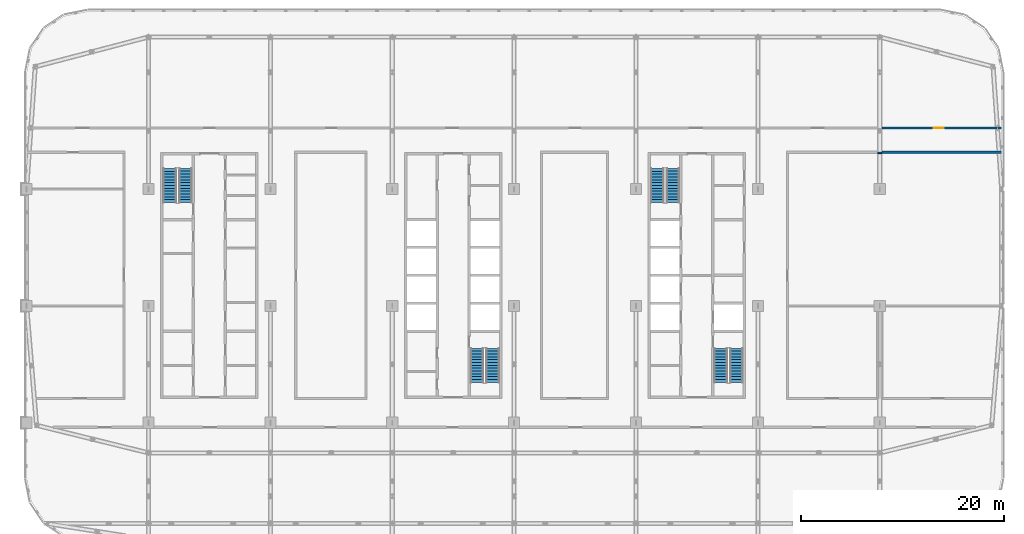
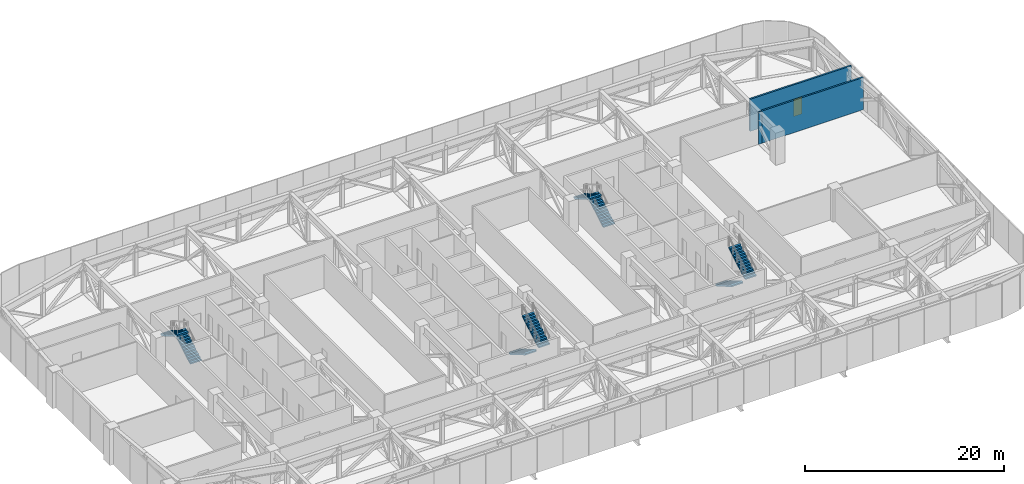
# One storey, part 16 of 28: 8 stair flights, 3 walls, 1 door, 1 opening, 4 elements without a shape of their own.
"""IFC4 building model written with IfcOpenShell, lengths in metres."""

from ifc_helpers import new_model, si_unit, direction, frame, frame_2d, origin, place, context, subcontext, project, spatial, polyline, rectangle, outline, extrude, material, layer, layer_set, type_object, element, fill, aggregate, save


model = new_model("IFC4")

# Units and contexts
model_context = context("Model", 3, precision=1e-05, world=origin(), true_north=direction((0.0, 1.0)))
body_context = subcontext(model_context, "Body", "Model", "MODEL_VIEW")
ifc_project = project(units=[si_unit("LENGTHUNIT", "METRE"), si_unit("AREAUNIT", "SQUARE_METRE"), si_unit("VOLUMEUNIT", "CUBIC_METRE"), si_unit("PLANEANGLEUNIT", "RADIAN"), si_unit("MASSUNIT", "GRAM", prefix="KILO")], contexts=[model_context])

# Site, building, storey
site_placement = place(None, origin())
site = spatial("IfcSite", under=ifc_project, at=site_placement, CompositionType="ELEMENT")
building_placement = place(site_placement, origin())
building = spatial("IfcBuilding", under=site, at=building_placement, Name="Mahtab Terrace Research Tower", CompositionType="ELEMENT")
storey_placement = place(building_placement, frame((0.0, 0.0, 224.300048828125)))
storey = spatial("IfcBuildingStorey", under=building, at=storey_placement, Name="L54", CompositionType="ELEMENT", Elevation=224.300048828125)

# Wall
ifc_material_1 = material(Name="Gypsum board corridor wall on steel studs", Category="steel")
ifc_layer_1 = layer(ifc_material_1, 0.199951171875)
ifc_layer_set_1 = layer_set([ifc_layer_1], Name="WALL CORRIDOR 200")
wall_type_1 = type_object("IfcWallType", Name="WALL CORRIDOR 200", PredefinedType="PARTITIONING", material=ifc_layer_set_1)
wall_1_placement = place(storey_placement, frame((42.199951171875, 15.125, 0.0), z_axis=(0.0, 0.0, 1.0), x_axis=(1.0, 0.0, 0.0)))
element("IfcWall", 1, at=wall_1_placement, inside=storey, type_object=wall_type_1, Name="L54-W023", PredefinedType="PARTITIONING", context=body_context, shape_type="SweptSolid", body=[
    extrude(rectangle(XDim=11.800048828125, YDim=0.199951171875, at=frame_2d((5.89990234375, 0.0))), origin(), (0.0, 0.0, 1.0), 3.9599609375),
])

# Wall, opening, door
wall_2_placement = place(storey_placement, frame((42.199951171875, 17.5, 0.0), z_axis=(0.0, 0.0, 1.0), x_axis=(1.0, 0.0, 0.0)))
wall_2 = element("IfcWall", 2, at=wall_2_placement, inside=storey, type_object=wall_type_1, Name="L54-W031", PredefinedType="PARTITIONING", context=body_context, shape_type="SweptSolid", body=[
    extrude(rectangle(XDim=11.800048828125, YDim=0.199951171875, at=frame_2d((5.89990234375, 0.0))), origin(), (0.0, 0.0, 1.0), 3.9599609375),
])
opening_placement = place(wall_2_placement, frame((5.10009765625, 0.0, 0.0)))
opening = element("IfcOpeningElement", 3, at=opening_placement, cuts=wall_2, Name="Opening L54-124", PredefinedType="OPENING", context=body_context, shape_type="SweptSolid", body=[
    extrude(rectangle(XDim=1.0, YDim=2.10009765625, at=frame_2d((0.5, 1.050048828125))), frame((0.0, 0.10986328125, 0.0), z_axis=(0.0, -1.0, 0.0), x_axis=(1.0, 0.0, 0.0)), (0.0, 0.0, 1.0), 0.219970703125),
])
ifc_material_2 = material(Name="Timber door leaf in steel frame", Category="steel")
door_type = type_object("IfcDoorType", Name="DOOR 1000X2100 FD30S", OperationType="SINGLE_SWING_LEFT", PredefinedType="DOOR", material=ifc_material_2)
door_placement = place(opening_placement, origin())
door = element("IfcDoor", 4, at=door_placement, inside=storey, type_object=door_type, Name="Door L54-124", OperationType="SINGLE_SWING_RIGHT", OverallHeight=2.10009765625, OverallWidth=1.0, PredefinedType="DOOR", context=body_context, shape_type="SweptSolid", body=[
    extrude(rectangle(XDim=1.0, YDim=2.10009765625, at=frame_2d((0.5, 1.050048828125))), frame((0.0, 0.02490234375, 0.0), z_axis=(0.0, -1.0, 0.0), x_axis=(1.0, 0.0, 0.0)), (0.0, 0.0, 1.0), 0.050048828125),
])
fill(opening, door)

# Wall
ifc_material_3 = material(Name="Gypsum board partition on steel studs", Category="steel")
ifc_layer_2 = layer(ifc_material_3, 0.14990234375)
ifc_layer_set_2 = layer_set([ifc_layer_2], Name="WALL PARTITION 150")
wall_type_2 = type_object("IfcWallType", Name="WALL PARTITION 150", PredefinedType="PARTITIONING", material=ifc_layer_set_2)
wall_3_placement = place(storey_placement, frame((41.800048828125, 15.074951171875, 0.0), z_axis=(0.0, 0.0, 1.0), x_axis=(1.0, 0.0, 0.0)))
element("IfcWall", 5, at=wall_3_placement, inside=storey, type_object=wall_type_2, Name="L54-W018", PredefinedType="PARTITIONING", context=body_context, shape_type="SweptSolid", body=[
    extrude(rectangle(XDim=0.39990234375, YDim=0.14990234375, at=frame_2d((0.199951171875, 0.0))), origin(), (0.0, 0.0, 1.0), 3.9599609375),
])

# Stair, stair flights
ifc_material_4 = material(Name="Exit stair half-turn")
stair_type = type_object("IfcStairType", Name="Exit stair half-turn", PredefinedType="HALF_TURN_STAIR", material=ifc_material_4)
stair_1_placement = place(storey_placement, origin())
stair_1 = element("IfcStair", 6, at=stair_1_placement, inside=storey, type_object=stair_type, Name="L54 Protected exit stair ST1", PredefinedType="HALF_TURN_STAIR")
ifc_material_5 = material(Name="Concrete C40/50", Category="concrete")
stair_flight_type = type_object("IfcStairFlightType", Name="Exit stair flight 1300", PredefinedType="STRAIGHT", material=ifc_material_5)
stair_flight_1_placement = place(storey_placement, frame((-26.35009765625, 10.175048828125, 0.0), z_axis=(0.0, 0.0, 1.0), x_axis=(0.0, 1.0, 0.0)))
stair_flight_1 = element("IfcStairFlight", 7, at=stair_flight_1_placement, type_object=stair_flight_type, Name="ST1 flight 1", NumberOfRisers=13, NumberOfTreads=12, PredefinedType="STRAIGHT", RiserHeight=0.165384615, TreadLength=0.28, context=body_context, shape_type="SweptSolid", body=[
    extrude(outline(polyline([(0.0, 0.0), (0.0, 0.165283203125), (0.280029296875, 0.165283203125), (0.280029296875, 0.330810546875), (0.56005859375, 0.330810546875), (0.56005859375, 0.49609375), (0.840087890625, 0.49609375), (0.840087890625, 0.66162109375), (1.1201171875, 0.66162109375), (1.1201171875, 0.826904296875), (1.39990234375, 0.826904296875), (1.39990234375, 0.9921875), (1.679931640625, 0.9921875), (1.679931640625, 1.15771484375), (1.9599609375, 1.15771484375), (1.9599609375, 1.322998046875), (2.239990234375, 1.322998046875), (2.239990234375, 1.488525390625), (2.52001953125, 1.488525390625), (2.52001953125, 1.65380859375), (2.800048828125, 1.65380859375), (2.800048828125, 1.8193359375), (3.080078125, 1.8193359375), (3.080078125, 1.984619140625), (3.360107421875, 1.984619140625), (3.360107421875, 2.14990234375), (3.360107421875, 1.810546875), (0.294677734375, 0.0), (0.0, 0.0)])), frame((0.0, 0.64990234375, 0.0), z_axis=(0.0, -1.0, 0.0), x_axis=(1.0, 0.0, 0.0)), (0.0, 0.0, 1.0), 1.300048828125),
])
stair_flight_2_placement = place(storey_placement, frame((-27.89990234375, 13.534912109375, 2.14990234375), z_axis=(0.0, 0.0, 1.0), x_axis=(0.0, -1.0, 0.0)))
stair_flight_2 = element("IfcStairFlight", 8, at=stair_flight_2_placement, type_object=stair_flight_type, Name="ST1 flight 2", NumberOfRisers=13, NumberOfTreads=12, PredefinedType="STRAIGHT", RiserHeight=0.165384615, TreadLength=0.28, context=body_context, shape_type="SweptSolid", body=[
    extrude(outline(polyline([(0.0, 0.0), (0.0, 0.165283203125), (0.280029296875, 0.165283203125), (0.280029296875, 0.330810546875), (0.56005859375, 0.330810546875), (0.56005859375, 0.49609375), (0.840087890625, 0.49609375), (0.840087890625, 0.66162109375), (1.1201171875, 0.66162109375), (1.1201171875, 0.826904296875), (1.39990234375, 0.826904296875), (1.39990234375, 0.9921875), (1.679931640625, 0.9921875), (1.679931640625, 1.15771484375), (1.9599609375, 1.15771484375), (1.9599609375, 1.322998046875), (2.239990234375, 1.322998046875), (2.239990234375, 1.488525390625), (2.52001953125, 1.488525390625), (2.52001953125, 1.65380859375), (2.800048828125, 1.65380859375), (2.800048828125, 1.8193359375), (3.080078125, 1.8193359375), (3.080078125, 1.984619140625), (3.360107421875, 1.984619140625), (3.360107421875, 2.14990234375), (3.360107421875, 1.810546875), (0.294677734375, 0.0), (0.0, 0.0)])), frame((0.0, 0.64990234375, 0.0), z_axis=(0.0, -1.0, 0.0), x_axis=(1.0, 0.0, 0.0)), (0.0, 0.0, 1.0), 1.300048828125),
])
aggregate(stair_1, [stair_flight_1, stair_flight_2])

stair_2_placement = place(storey_placement, origin())
stair_2 = element("IfcStair", 9, at=stair_2_placement, inside=storey, type_object=stair_type, Name="L54 Protected exit stair ST2", PredefinedType="HALF_TURN_STAIR")
stair_flight_3_placement = place(storey_placement, frame((2.35009765625, -4.175048828125, 0.0), z_axis=(0.0, 0.0, 1.0), x_axis=(0.0, -1.0, 0.0)))
stair_flight_3 = element("IfcStairFlight", 10, at=stair_flight_3_placement, type_object=stair_flight_type, Name="ST2 flight 1", NumberOfRisers=13, NumberOfTreads=12, PredefinedType="STRAIGHT", RiserHeight=0.165384615, TreadLength=0.28, context=body_context, shape_type="SweptSolid", body=[
    extrude(outline(polyline([(0.0, 0.0), (0.0, 0.165283203125), (0.280029296875, 0.165283203125), (0.280029296875, 0.330810546875), (0.56005859375, 0.330810546875), (0.56005859375, 0.49609375), (0.840087890625, 0.49609375), (0.840087890625, 0.66162109375), (1.1201171875, 0.66162109375), (1.1201171875, 0.826904296875), (1.39990234375, 0.826904296875), (1.39990234375, 0.9921875), (1.679931640625, 0.9921875), (1.679931640625, 1.15771484375), (1.9599609375, 1.15771484375), (1.9599609375, 1.322998046875), (2.239990234375, 1.322998046875), (2.239990234375, 1.488525390625), (2.52001953125, 1.488525390625), (2.52001953125, 1.65380859375), (2.800048828125, 1.65380859375), (2.800048828125, 1.8193359375), (3.080078125, 1.8193359375), (3.080078125, 1.984619140625), (3.360107421875, 1.984619140625), (3.360107421875, 2.14990234375), (3.360107421875, 1.810546875), (0.294677734375, 0.0), (0.0, 0.0)])), frame((0.0, 0.64990234375, 0.0), z_axis=(0.0, -1.0, 0.0), x_axis=(1.0, 0.0, 0.0)), (0.0, 0.0, 1.0), 1.300048828125),
])
stair_flight_4_placement = place(storey_placement, frame((3.89990234375, -7.534912109375, 2.14990234375), z_axis=(0.0, 0.0, 1.0), x_axis=(0.0, 1.0, 0.0)))
stair_flight_4 = element("IfcStairFlight", 11, at=stair_flight_4_placement, type_object=stair_flight_type, Name="ST2 flight 2", NumberOfRisers=13, NumberOfTreads=12, PredefinedType="STRAIGHT", RiserHeight=0.165384615, TreadLength=0.28, context=body_context, shape_type="SweptSolid", body=[
    extrude(outline(polyline([(0.0, 0.0), (0.0, 0.165283203125), (0.280029296875, 0.165283203125), (0.280029296875, 0.330810546875), (0.56005859375, 0.330810546875), (0.56005859375, 0.49609375), (0.840087890625, 0.49609375), (0.840087890625, 0.66162109375), (1.1201171875, 0.66162109375), (1.1201171875, 0.826904296875), (1.39990234375, 0.826904296875), (1.39990234375, 0.9921875), (1.679931640625, 0.9921875), (1.679931640625, 1.15771484375), (1.9599609375, 1.15771484375), (1.9599609375, 1.322998046875), (2.239990234375, 1.322998046875), (2.239990234375, 1.488525390625), (2.52001953125, 1.488525390625), (2.52001953125, 1.65380859375), (2.800048828125, 1.65380859375), (2.800048828125, 1.8193359375), (3.080078125, 1.8193359375), (3.080078125, 1.984619140625), (3.360107421875, 1.984619140625), (3.360107421875, 2.14990234375), (3.360107421875, 1.810546875), (0.294677734375, 0.0), (0.0, 0.0)])), frame((0.0, 0.64990234375, 0.0), z_axis=(0.0, -1.0, 0.0), x_axis=(1.0, 0.0, 0.0)), (0.0, 0.0, 1.0), 1.300048828125),
])
aggregate(stair_2, [stair_flight_3, stair_flight_4])

stair_3_placement = place(storey_placement, origin())
stair_3 = element("IfcStair", 12, at=stair_3_placement, inside=storey, type_object=stair_type, Name="L54 Protected exit stair ST3", PredefinedType="HALF_TURN_STAIR")
stair_flight_5_placement = place(storey_placement, frame((21.64990234375, 10.175048828125, 0.0), z_axis=(0.0, 0.0, 1.0), x_axis=(0.0, 1.0, 0.0)))
stair_flight_5 = element("IfcStairFlight", 13, at=stair_flight_5_placement, type_object=stair_flight_type, Name="ST3 flight 1", NumberOfRisers=13, NumberOfTreads=12, PredefinedType="STRAIGHT", RiserHeight=0.165384615, TreadLength=0.28, context=body_context, shape_type="SweptSolid", body=[
    extrude(outline(polyline([(0.0, 0.0), (0.0, 0.165283203125), (0.280029296875, 0.165283203125), (0.280029296875, 0.330810546875), (0.56005859375, 0.330810546875), (0.56005859375, 0.49609375), (0.840087890625, 0.49609375), (0.840087890625, 0.66162109375), (1.1201171875, 0.66162109375), (1.1201171875, 0.826904296875), (1.39990234375, 0.826904296875), (1.39990234375, 0.9921875), (1.679931640625, 0.9921875), (1.679931640625, 1.15771484375), (1.9599609375, 1.15771484375), (1.9599609375, 1.322998046875), (2.239990234375, 1.322998046875), (2.239990234375, 1.488525390625), (2.52001953125, 1.488525390625), (2.52001953125, 1.65380859375), (2.800048828125, 1.65380859375), (2.800048828125, 1.8193359375), (3.080078125, 1.8193359375), (3.080078125, 1.984619140625), (3.360107421875, 1.984619140625), (3.360107421875, 2.14990234375), (3.360107421875, 1.810546875), (0.294677734375, 0.0), (0.0, 0.0)])), frame((0.0, 0.64990234375, 0.0), z_axis=(0.0, -1.0, 0.0), x_axis=(1.0, 0.0, 0.0)), (0.0, 0.0, 1.0), 1.300048828125),
])
stair_flight_6_placement = place(storey_placement, frame((20.10009765625, 13.534912109375, 2.14990234375), z_axis=(0.0, 0.0, 1.0), x_axis=(0.0, -1.0, 0.0)))
stair_flight_6 = element("IfcStairFlight", 14, at=stair_flight_6_placement, type_object=stair_flight_type, Name="ST3 flight 2", NumberOfRisers=13, NumberOfTreads=12, PredefinedType="STRAIGHT", RiserHeight=0.165384615, TreadLength=0.28, context=body_context, shape_type="SweptSolid", body=[
    extrude(outline(polyline([(0.0, 0.0), (0.0, 0.165283203125), (0.280029296875, 0.165283203125), (0.280029296875, 0.330810546875), (0.56005859375, 0.330810546875), (0.56005859375, 0.49609375), (0.840087890625, 0.49609375), (0.840087890625, 0.66162109375), (1.1201171875, 0.66162109375), (1.1201171875, 0.826904296875), (1.39990234375, 0.826904296875), (1.39990234375, 0.9921875), (1.679931640625, 0.9921875), (1.679931640625, 1.15771484375), (1.9599609375, 1.15771484375), (1.9599609375, 1.322998046875), (2.239990234375, 1.322998046875), (2.239990234375, 1.488525390625), (2.52001953125, 1.488525390625), (2.52001953125, 1.65380859375), (2.800048828125, 1.65380859375), (2.800048828125, 1.8193359375), (3.080078125, 1.8193359375), (3.080078125, 1.984619140625), (3.360107421875, 1.984619140625), (3.360107421875, 2.14990234375), (3.360107421875, 1.810546875), (0.294677734375, 0.0), (0.0, 0.0)])), frame((0.0, 0.64990234375, 0.0), z_axis=(0.0, -1.0, 0.0), x_axis=(1.0, 0.0, 0.0)), (0.0, 0.0, 1.0), 1.300048828125),
])
aggregate(stair_3, [stair_flight_5, stair_flight_6])

stair_4_placement = place(storey_placement, origin())
stair_4 = element("IfcStair", 15, at=stair_4_placement, inside=storey, type_object=stair_type, Name="L54 Protected exit stair ST4", PredefinedType="HALF_TURN_STAIR")
stair_flight_7_placement = place(storey_placement, frame((26.35009765625, -4.175048828125, 0.0), z_axis=(0.0, 0.0, 1.0), x_axis=(0.0, -1.0, 0.0)))
stair_flight_7 = element("IfcStairFlight", 16, at=stair_flight_7_placement, type_object=stair_flight_type, Name="ST4 flight 1", NumberOfRisers=13, NumberOfTreads=12, PredefinedType="STRAIGHT", RiserHeight=0.165384615, TreadLength=0.28, context=body_context, shape_type="SweptSolid", body=[
    extrude(outline(polyline([(0.0, 0.0), (0.0, 0.165283203125), (0.280029296875, 0.165283203125), (0.280029296875, 0.330810546875), (0.56005859375, 0.330810546875), (0.56005859375, 0.49609375), (0.840087890625, 0.49609375), (0.840087890625, 0.66162109375), (1.1201171875, 0.66162109375), (1.1201171875, 0.826904296875), (1.39990234375, 0.826904296875), (1.39990234375, 0.9921875), (1.679931640625, 0.9921875), (1.679931640625, 1.15771484375), (1.9599609375, 1.15771484375), (1.9599609375, 1.322998046875), (2.239990234375, 1.322998046875), (2.239990234375, 1.488525390625), (2.52001953125, 1.488525390625), (2.52001953125, 1.65380859375), (2.800048828125, 1.65380859375), (2.800048828125, 1.8193359375), (3.080078125, 1.8193359375), (3.080078125, 1.984619140625), (3.360107421875, 1.984619140625), (3.360107421875, 2.14990234375), (3.360107421875, 1.810546875), (0.294677734375, 0.0), (0.0, 0.0)])), frame((0.0, 0.64990234375, 0.0), z_axis=(0.0, -1.0, 0.0), x_axis=(1.0, 0.0, 0.0)), (0.0, 0.0, 1.0), 1.300048828125),
])
stair_flight_8_placement = place(storey_placement, frame((27.89990234375, -7.534912109375, 2.14990234375), z_axis=(0.0, 0.0, 1.0), x_axis=(0.0, 1.0, 0.0)))
stair_flight_8 = element("IfcStairFlight", 17, at=stair_flight_8_placement, type_object=stair_flight_type, Name="ST4 flight 2", NumberOfRisers=13, NumberOfTreads=12, PredefinedType="STRAIGHT", RiserHeight=0.165384615, TreadLength=0.28, context=body_context, shape_type="SweptSolid", body=[
    extrude(outline(polyline([(0.0, 0.0), (0.0, 0.165283203125), (0.280029296875, 0.165283203125), (0.280029296875, 0.330810546875), (0.56005859375, 0.330810546875), (0.56005859375, 0.49609375), (0.840087890625, 0.49609375), (0.840087890625, 0.66162109375), (1.1201171875, 0.66162109375), (1.1201171875, 0.826904296875), (1.39990234375, 0.826904296875), (1.39990234375, 0.9921875), (1.679931640625, 0.9921875), (1.679931640625, 1.15771484375), (1.9599609375, 1.15771484375), (1.9599609375, 1.322998046875), (2.239990234375, 1.322998046875), (2.239990234375, 1.488525390625), (2.52001953125, 1.488525390625), (2.52001953125, 1.65380859375), (2.800048828125, 1.65380859375), (2.800048828125, 1.8193359375), (3.080078125, 1.8193359375), (3.080078125, 1.984619140625), (3.360107421875, 1.984619140625), (3.360107421875, 2.14990234375), (3.360107421875, 1.810546875), (0.294677734375, 0.0), (0.0, 0.0)])), frame((0.0, 0.64990234375, 0.0), z_axis=(0.0, -1.0, 0.0), x_axis=(1.0, 0.0, 0.0)), (0.0, 0.0, 1.0), 1.300048828125),
])
aggregate(stair_4, [stair_flight_7, stair_flight_8])

save(model, "model.ifc")
